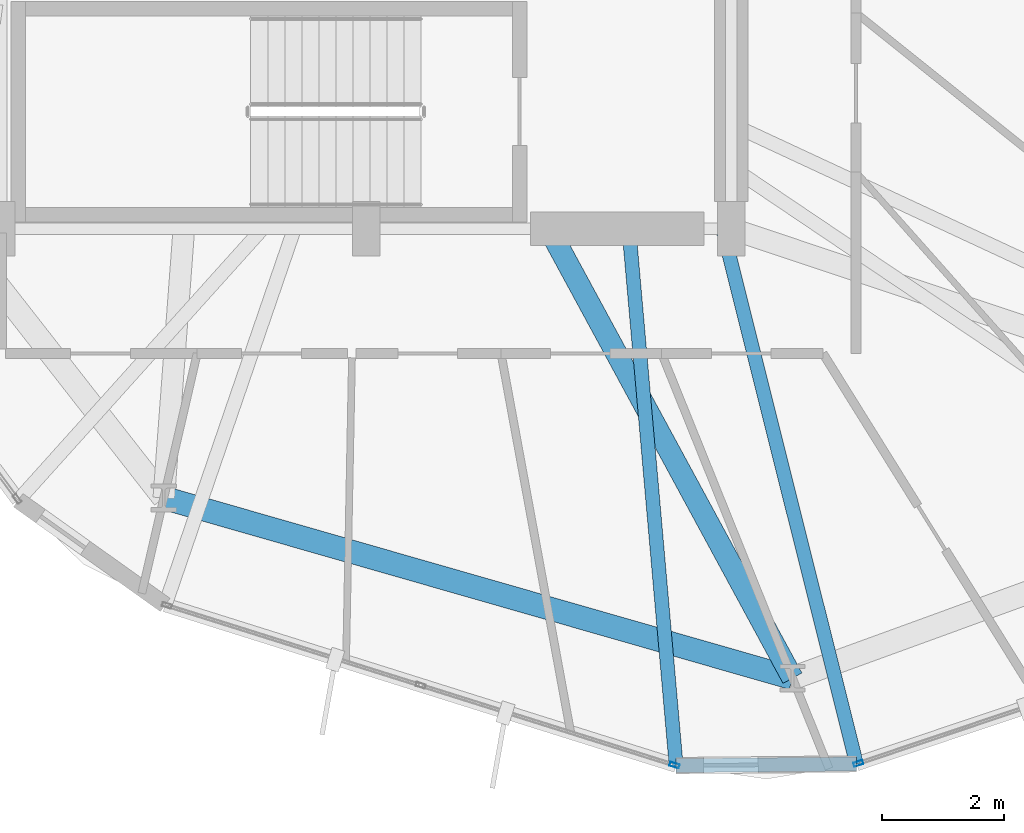
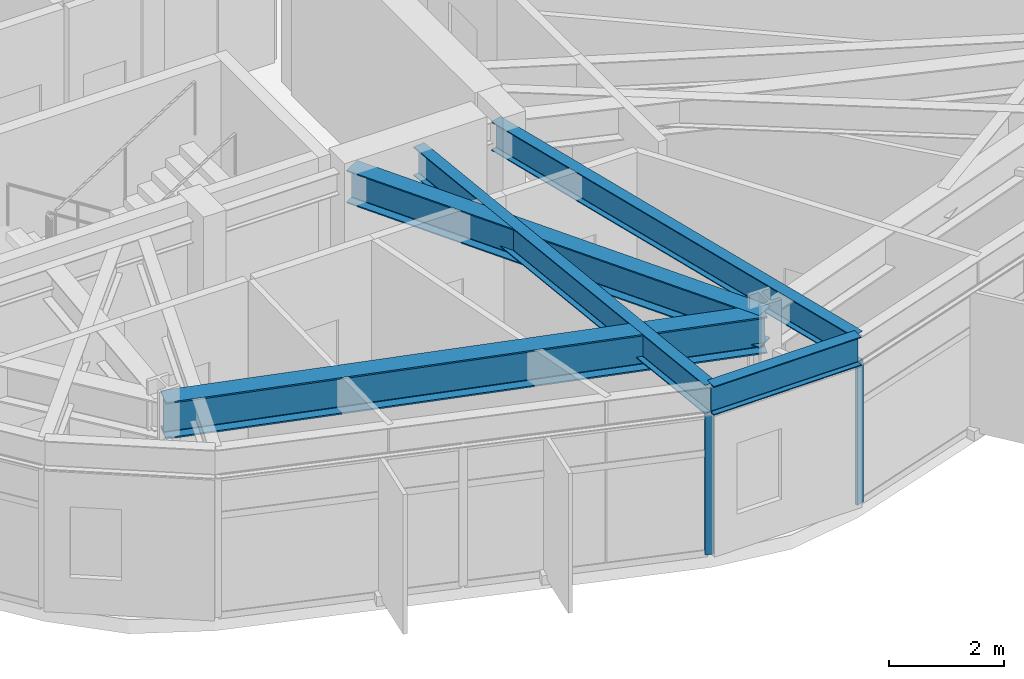
# One storey, part 5 of 27: 5 beams, 2 members, 2 elements without a shape of their own.
"""IFC4 building model written with IfcOpenShell, lengths in metres."""

from ifc_helpers import new_model, si_unit, direction, frame, origin, origin_2d, place, context, subcontext, project, spatial, hollow_rectangle, i_section, extrude, material, layer, layer_set, material_profile, profile_set, type_object, element, aggregate, save


model = new_model("IFC4")

# Units and contexts
model_context = context("Model", 3, precision=1e-05, world=origin(), true_north=direction((0.0, 1.0)))
body_context = subcontext(model_context, "Body", "Model", "MODEL_VIEW")
ifc_project = project(units=[si_unit("LENGTHUNIT", "METRE"), si_unit("AREAUNIT", "SQUARE_METRE"), si_unit("VOLUMEUNIT", "CUBIC_METRE"), si_unit("PLANEANGLEUNIT", "RADIAN"), si_unit("MASSUNIT", "GRAM", prefix="KILO")], contexts=[model_context])

# Site, building, storey
site_placement = place(None, origin())
site = spatial("IfcSite", under=ifc_project, at=site_placement, CompositionType="ELEMENT")
building_placement = place(site_placement, origin())
building = spatial("IfcBuilding", under=site, at=building_placement, Name="Soratama Intermodal Tower", CompositionType="ELEMENT")
storey_placement = place(building_placement, frame((0.0, 0.0, 103.0)))
storey = spatial("IfcBuildingStorey", under=building, at=storey_placement, Name="L24", CompositionType="ELEMENT", Elevation=103.0)

# Beams
ifc_material_1 = material(Name="Structural steel ASTM A992 Grade 50", Category="steel")
ifc_material_profile_1 = material_profile(ifc_material_1, i_section(OverallWidth=0.35498046875, OverallDepth=0.695068359375, WebThickness=0.015380859375, FlangeThickness=0.02490234375, FilletRadius=0.01611328125, at=origin_2d()), Name="W27X146")
ifc_profile_set_1 = profile_set([ifc_material_profile_1], Name="Structural steel ASTM A992 Grade 50")
beam_type_1 = type_object("IfcBeamType", Name="BM-RING-W27X146", PredefinedType="BEAM", material=ifc_profile_set_1)
beam_1_placement = place(storey_placement, frame((41.60009765625, 15.0, 3.25244140625), z_axis=(0.476697610532, -0.879067339919, 0.0), x_axis=(0.879067339919, 0.476697610532, 0.0)))
element("IfcBeam", 1, at=beam_1_placement, inside=storey, type_object=beam_type_1, Name="BM-L24-RAD-08", PredefinedType="BEAM", context=body_context, shape_type="SweptSolid", body=[
    extrude(i_section(OverallWidth=0.35498046875, OverallDepth=0.695068359375, WebThickness=0.015380859375, FlangeThickness=0.02490234375, FilletRadius=0.01611328125, at=origin_2d()), origin(), (0.0, 0.0, 1.0), 8.405517578125),
])
ifc_material_2 = material(Name="Structural steel ASTM A992 Grade 50", Category="steel")
ifc_material_profile_2 = material_profile(ifc_material_2, i_section(OverallWidth=0.382080078125, OverallDepth=0.779052734375, WebThickness=0.01806640625, FlangeThickness=0.030029296875, FilletRadius=0.01806640625, at=origin_2d()), Name="W30X191")
ifc_profile_set_2 = profile_set([ifc_material_profile_2], Name="Structural steel ASTM A992 Grade 50")
beam_type_2 = type_object("IfcBeamType", Name="BM-RING-W30X191", PredefinedType="BEAM", material=ifc_profile_set_2)
beam_2_placement = place(storey_placement, frame((35.27001953125, 10.574951171875, 3.21044921875), z_axis=(0.961266505995, -0.275620580604, 0.0), x_axis=(0.275620580604, 0.961266505995, 0.0)))
element("IfcBeam", 2, at=beam_2_placement, inside=storey, type_object=beam_type_2, Name="BM-L24-RING-07", PredefinedType="BEAM", context=body_context, shape_type="SweptSolid", body=[
    extrude(i_section(OverallWidth=0.382080078125, OverallDepth=0.779052734375, WebThickness=0.01806640625, FlangeThickness=0.030029296875, FilletRadius=0.01806640625, at=origin_2d()), origin(), (0.0, 0.0, 1.0), 10.75341796875),
])
ifc_material_3 = material(Name="Structural steel ASTM A992 Grade 50", Category="steel")
ifc_material_profile_3 = material_profile(ifc_material_3, i_section(OverallWidth=0.22900390625, OverallDepth=0.612060546875, WebThickness=0.011962890625, FlangeThickness=0.01953125, FilletRadius=0.012939453125, at=origin_2d()), Name="W24X84")
ifc_profile_set_3 = profile_set([ifc_material_profile_3], Name="Structural steel ASTM A992 Grade 50")
beam_type_3 = type_object("IfcBeamType", Name="BM-SPN-W24X84", PredefinedType="SPANDREL", material=ifc_profile_set_3)
beam_3_placement = place(storey_placement, frame((43.694091796875, 6.173095703125, 3.2939453125), z_axis=(0.999959006113, 0.009054617276, 0.0), x_axis=(-0.009054617276, 0.999959006113, 0.0)))
element("IfcBeam", 3, at=beam_3_placement, inside=storey, type_object=beam_type_3, Name="BS-L24-CRN07", PredefinedType="SPANDREL", context=body_context, shape_type="SweptSolid", body=[
    extrude(i_section(OverallWidth=0.22900390625, OverallDepth=0.612060546875, WebThickness=0.011962890625, FlangeThickness=0.01953125, FilletRadius=0.012939453125, at=origin_2d()), origin(), (0.0, 0.0, 1.0), 2.9658203125),
])
ifc_material_4 = material(Name="Structural steel ASTM A992 Grade 50", Category="steel")
ifc_material_profile_4 = material_profile(ifc_material_4, i_section(OverallWidth=0.22900390625, OverallDepth=0.612060546875, WebThickness=0.011962890625, FlangeThickness=0.01953125, FilletRadius=0.012939453125, at=origin_2d()), Name="W24X84")
ifc_profile_set_4 = profile_set([ifc_material_profile_4], Name="Structural steel ASTM A992 Grade 50")
beam_type_4 = type_object("IfcBeamType", Name="BM-TIE-W24X84", PredefinedType="BEAM", material=ifc_profile_set_4)
beam_4_placement = place(storey_placement, frame((42.919921875, 14.9599609375, 3.2939453125), z_axis=(0.087765376428, -0.996141174082, 0.0), x_axis=(0.996141174082, 0.087765376428, 0.0)))
element("IfcBeam", 4, at=beam_4_placement, inside=storey, type_object=beam_type_4, Name="BM-L24-TIE1-07", PredefinedType="BEAM", context=body_context, shape_type="SweptSolid", body=[
    extrude(i_section(OverallWidth=0.22900390625, OverallDepth=0.612060546875, WebThickness=0.011962890625, FlangeThickness=0.01953125, FilletRadius=0.012939453125, at=origin_2d()), origin(), (0.0, 0.0, 1.0), 8.82080078125),
])
beam_5_placement = place(storey_placement, frame((44.468017578125, 14.9609375, 3.2939453125), z_axis=(0.242707363896, -0.970099549279, 0.0), x_axis=(0.970099549279, 0.242707363896, 0.0)))
element("IfcBeam", 5, at=beam_5_placement, inside=storey, type_object=beam_type_4, Name="BM-L24-TIE0-08", PredefinedType="BEAM", context=body_context, shape_type="SweptSolid", body=[
    extrude(i_section(OverallWidth=0.22900390625, OverallDepth=0.612060546875, WebThickness=0.011962890625, FlangeThickness=0.01953125, FilletRadius=0.012939453125, at=origin_2d()), origin(), (0.0, 0.0, 1.0), 9.031005859375),
])

# Curtain wall, member
ifc_material_5 = material(Name="Double-glazed aluminium curtain wall", Category="aluminium")
ifc_layer = layer(ifc_material_5, 0.159912109375)
ifc_layer_set = layer_set([ifc_layer], Name="Double-glazed aluminium curtain wall")
curtain_wall_type = type_object("IfcCurtainWallType", Name="CW-SYS-3", PredefinedType="NOTDEFINED", material=ifc_layer_set)
curtain_wall_1_placement = place(storey_placement, origin())
curtain_wall_1 = element("IfcCurtainWall", 6, at=curtain_wall_1_placement, inside=storey, type_object=curtain_wall_type, Name="L24 Faceted Curtain Wall F07", PredefinedType="NOTDEFINED")
ifc_material_6 = material(Name="Anodised aluminium AA 6063-T6", Category="aluminium")
ifc_material_profile_5 = material_profile(ifc_material_6, hollow_rectangle(XDim=0.070068359375, YDim=0.159912109375, WallThickness=0.0048828125, InnerFilletRadius=0.0048828125, OuterFilletRadius=0.010009765625, at=origin_2d()), Name="CWM160X70X5")
ifc_profile_set_5 = profile_set([ifc_material_profile_5], Name="Anodised aluminium AA 6063-T6")
member_type = type_object("IfcMemberType", Name="MT-CWM-3", PredefinedType="MULLION", material=ifc_profile_set_5)
member_1_placement = place(storey_placement, frame((43.66552734375, 6.181396484375, 0.0), z_axis=(0.0, 0.0, 1.0), x_axis=(0.300038297083, 0.953927156697, 0.0)))
member_1 = element("IfcMember", 7, at=member_1_placement, type_object=member_type, Name="CW-3 mullion 3", PredefinedType="MULLION", context=body_context, shape_type="SweptSolid", body=[
    extrude(hollow_rectangle(XDim=0.070068359375, YDim=0.159912109375, WallThickness=0.0048828125, InnerFilletRadius=0.0048828125, OuterFilletRadius=0.010009765625, at=origin_2d()), origin(), (0.0, 0.0, 1.0), 2.97900390625),
])
aggregate(curtain_wall_1, [member_1])

curtain_wall_2_placement = place(storey_placement, origin())
curtain_wall_2 = element("IfcCurtainWall", 8, at=curtain_wall_2_placement, inside=storey, type_object=curtain_wall_type, Name="L24 Faceted Curtain Wall F08", PredefinedType="NOTDEFINED")
member_2_placement = place(storey_placement, frame((46.68896484375, 6.2099609375, 0.0), z_axis=(0.0, 0.0, 1.0), x_axis=(-0.317957776835, 0.948104874025, 0.0)))
member_2 = element("IfcMember", 9, at=member_2_placement, type_object=member_type, Name="CW-3 mullion 1", PredefinedType="MULLION", context=body_context, shape_type="SweptSolid", body=[
    extrude(hollow_rectangle(XDim=0.070068359375, YDim=0.159912109375, WallThickness=0.0048828125, InnerFilletRadius=0.0048828125, OuterFilletRadius=0.010009765625, at=origin_2d()), origin(), (0.0, 0.0, 1.0), 2.97900390625),
])
aggregate(curtain_wall_2, [member_2])

save(model, "model.ifc")
